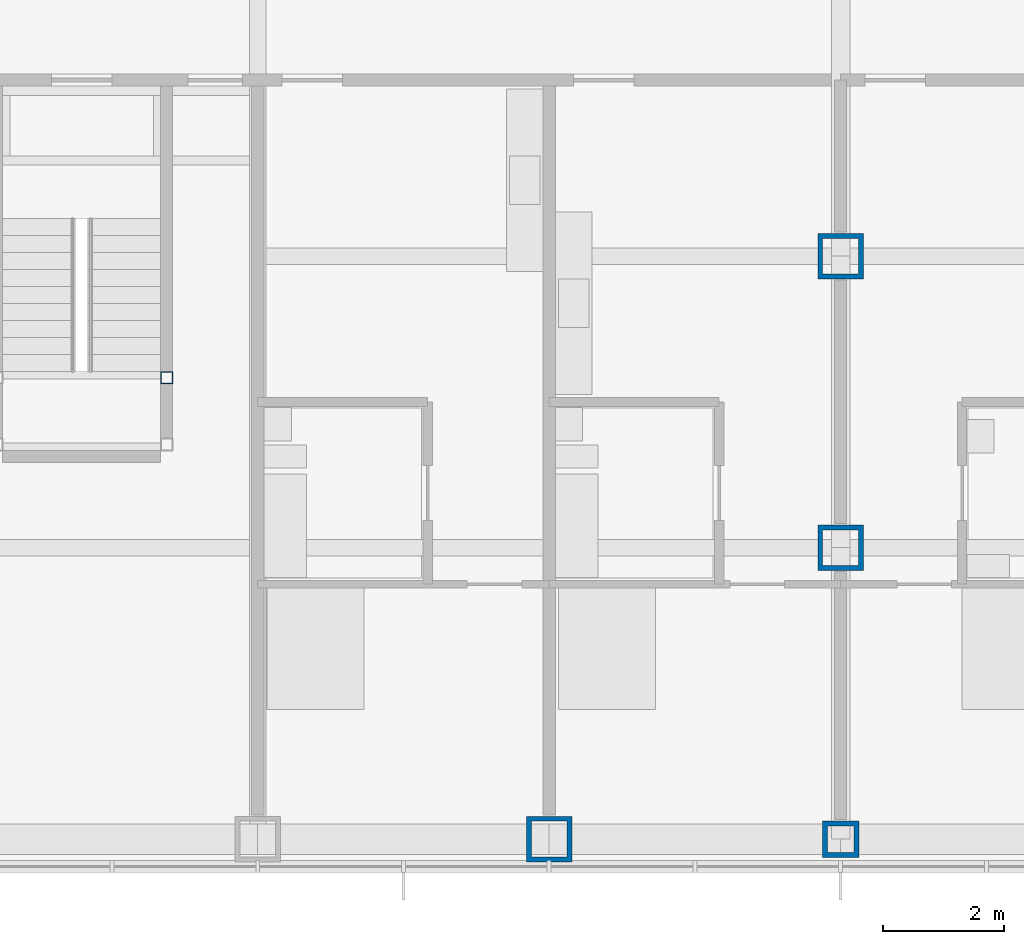
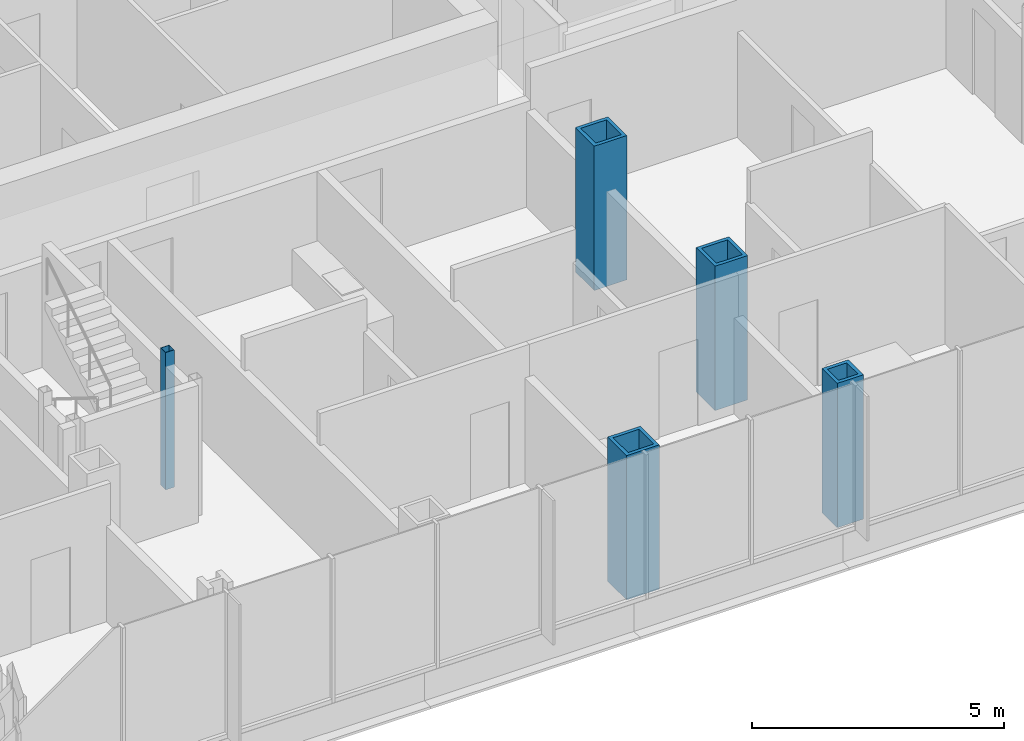
# One storey, part 2 of 21: 5 columns.
"""IFC4 building model written with IfcOpenShell, lengths in metres."""

from ifc_helpers import new_model, si_unit, direction, frame, origin, origin_2d, place, context, subcontext, project, spatial, hollow_rectangle, extrude, material, material_profile, profile_set, type_object, element, save


model = new_model("IFC4")

# Units and contexts
model_context = context("Model", 3, precision=1e-05, world=origin(), true_north=direction((0.0, 1.0)))
body_context = subcontext(model_context, "Body", "Model", "MODEL_VIEW")
ifc_project = project(units=[si_unit("LENGTHUNIT", "METRE"), si_unit("AREAUNIT", "SQUARE_METRE"), si_unit("VOLUMEUNIT", "CUBIC_METRE"), si_unit("PLANEANGLEUNIT", "RADIAN"), si_unit("MASSUNIT", "GRAM", prefix="KILO")], contexts=[model_context])

# Site, building, storey
site_placement = place(None, origin())
site = spatial("IfcSite", under=ifc_project, at=site_placement, CompositionType="ELEMENT")
building_placement = place(site_placement, origin())
building = spatial("IfcBuilding", under=site, at=building_placement, Name="Kvirike Care Tower", CompositionType="ELEMENT")
storey_placement = place(building_placement, frame((0.0, 0.0, 48.0)))
storey = spatial("IfcBuildingStorey", under=building, at=storey_placement, Name="L12", CompositionType="ELEMENT", Elevation=48.0)

# Columns
ifc_material_1 = material(Name="Steel S460", Category="steel")
ifc_material_profile_1 = material_profile(ifc_material_1, hollow_rectangle(XDim=0.60009765625, YDim=0.60009765625, WallThickness=0.080078125, at=origin_2d()), Name="BX 600x600x80")
ifc_profile_set_1 = profile_set([ifc_material_profile_1], Name="Steel S460")
column_type_1 = type_object("IfcColumnType", Name="COLUMN BX 600x600x80", PredefinedType="COLUMN", material=ifc_profile_set_1)
column_1_placement = place(storey_placement, frame((28.800048828125, 14.39990234375, 0.0), z_axis=(0.0, 0.0, 1.0), x_axis=(0.0, 1.0, 0.0)))
element("IfcColumn", 1, at=column_1_placement, inside=storey, type_object=column_type_1, Name="Column D9 L12", PredefinedType="COLUMN", context=body_context, shape_type="SweptSolid", body=[
    extrude(hollow_rectangle(XDim=0.60009765625, YDim=0.60009765625, WallThickness=0.080078125, at=origin_2d()), origin(), (0.0, 0.0, 1.0), 3.5),
])
ifc_material_2 = material(Name="Steel S460", Category="steel")
ifc_material_profile_2 = material_profile(ifc_material_2, hollow_rectangle(XDim=0.75, YDim=0.75, WallThickness=0.080078125, at=origin_2d()), Name="BX 750x750x80")
ifc_profile_set_2 = profile_set([ifc_material_profile_2], Name="Steel S460")
column_type_2 = type_object("IfcColumnType", Name="COLUMN BX 750x750x80", PredefinedType="COLUMN", material=ifc_profile_set_2)
for number, where, z_axis, x_axis, name in (
    (2, (24.0, 14.39990234375, 0.0), (0.0, 0.0, 1.0), (0.0, 1.0, 0.0), "Column D8 L12"),
    (3, (28.800048828125, 19.199951171875, 0.0), (0.0, 0.0, 1.0), (1.0, 0.0, 0.0), "Column E9 L12"),
    (4, (28.800048828125, 24.0, 0.0), (0.0, 0.0, 1.0), (1.0, 0.0, 0.0), "Column F9 L12"),
):
    element("IfcColumn", number, at=place(storey_placement, frame(where, z_axis=z_axis, x_axis=x_axis)), inside=storey, type_object=column_type_2, Name=name, PredefinedType="COLUMN", context=body_context, shape_type="SweptSolid", body=[
        extrude(hollow_rectangle(XDim=0.75, YDim=0.75, WallThickness=0.080078125, at=origin_2d()), origin(), (0.0, 0.0, 1.0), 3.5),
    ])
ifc_material_3 = material(Name="Steel S460", Category="steel")
ifc_material_profile_3 = material_profile(ifc_material_3, hollow_rectangle(XDim=0.199951171875, YDim=0.199951171875, WallThickness=0.008056640625, at=origin_2d()), Name="SHS 200x200x8")
ifc_profile_set_3 = profile_set([ifc_material_profile_3], Name="Steel S460")
column_type_3 = type_object("IfcColumnType", Name="STAIR POST SHS 200x200x8", PredefinedType="COLUMN", material=ifc_profile_set_3)
column_2_placement = place(storey_placement, frame((17.699951171875, 22.0, 0.0), z_axis=(0.0, 0.0, 1.0), x_axis=(1.0, 0.0, 0.0)))
element("IfcColumn", 5, at=column_2_placement, inside=storey, type_object=column_type_3, Name="Stair 5 post 4 L12", PredefinedType="COLUMN", context=body_context, shape_type="SweptSolid", body=[
    extrude(hollow_rectangle(XDim=0.199951171875, YDim=0.199951171875, WallThickness=0.008056640625, at=origin_2d()), origin(), (0.0, 0.0, 1.0), 3.330078125),
])

save(model, "model.ifc")
